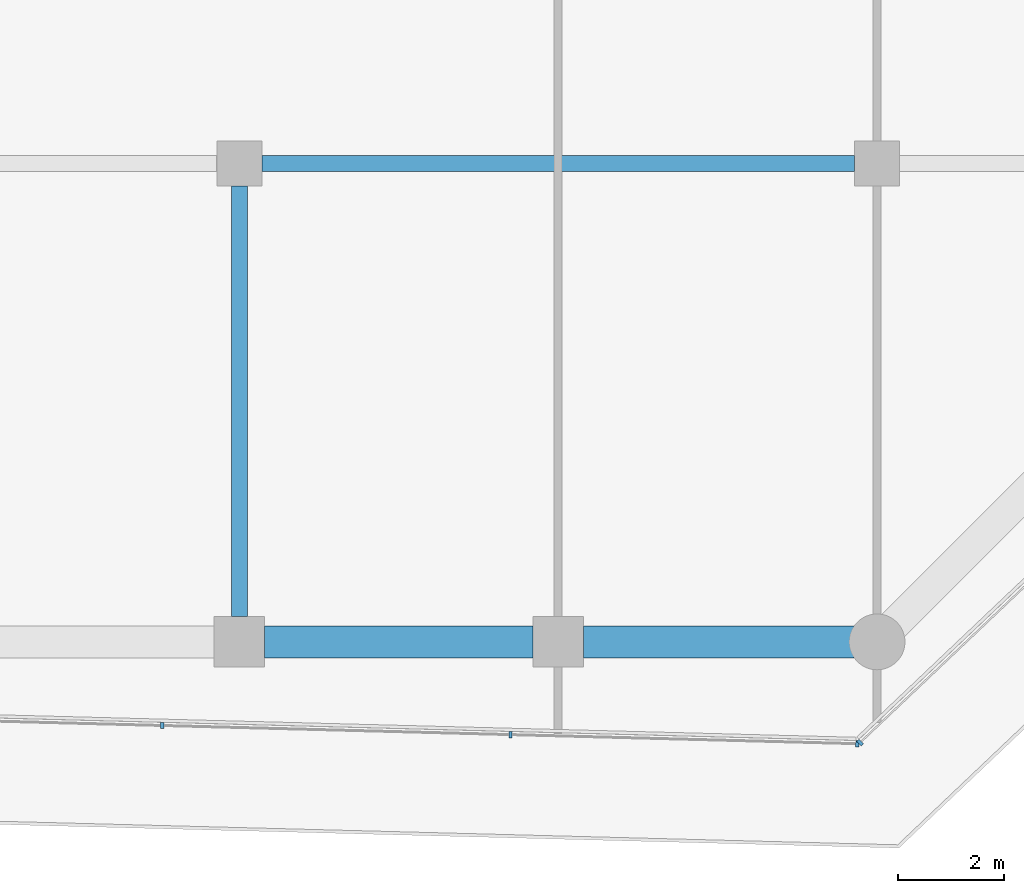
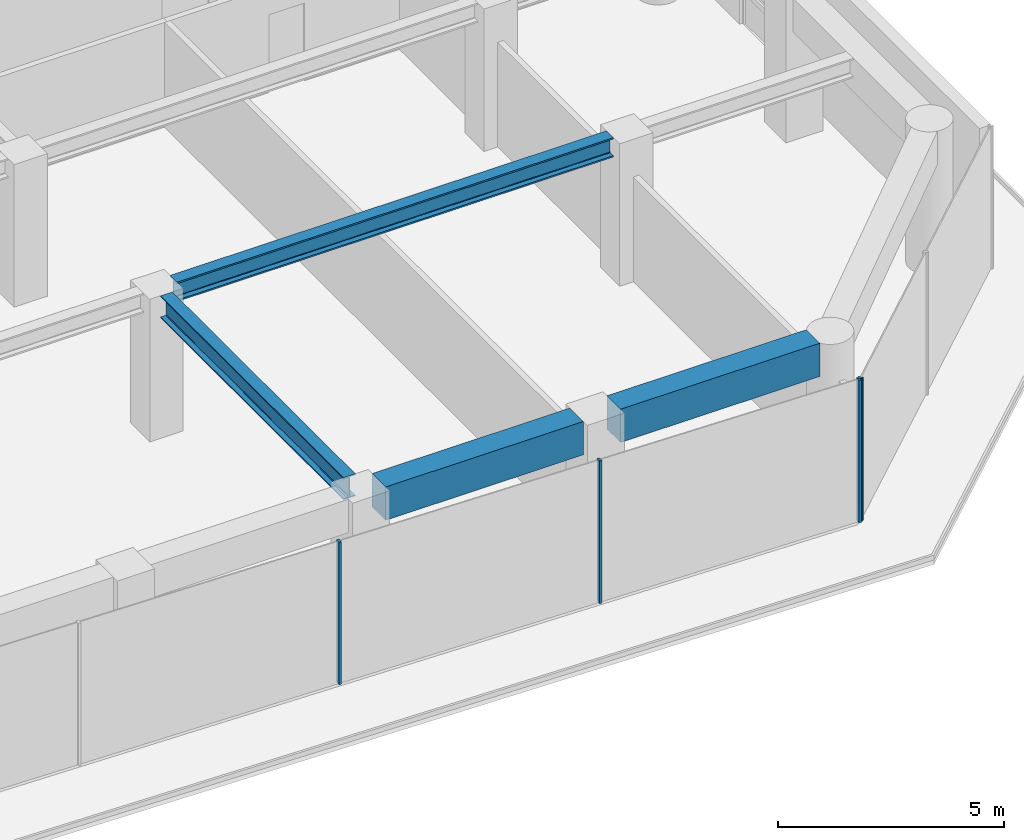
# One storey, part 9 of 28: 4 beams, 4 members, 2 elements without a shape of their own.
"""IFC4 building model written with IfcOpenShell, lengths in metres."""

from ifc_helpers import new_model, si_unit, direction, frame, origin, origin_2d, place, context, subcontext, project, spatial, rectangle, i_section, extrude, material, layer, layer_set, material_profile, profile_set, type_object, element, aggregate, save


model = new_model("IFC4")

# Units and contexts
model_context = context("Model", 3, precision=1e-05, world=origin(), true_north=direction((0.0, 1.0)))
body_context = subcontext(model_context, "Body", "Model", "MODEL_VIEW")
ifc_project = project(units=[si_unit("LENGTHUNIT", "METRE"), si_unit("AREAUNIT", "SQUARE_METRE"), si_unit("VOLUMEUNIT", "CUBIC_METRE"), si_unit("PLANEANGLEUNIT", "RADIAN"), si_unit("MASSUNIT", "GRAM", prefix="KILO")], contexts=[model_context])

# Site, building, storey
site_placement = place(None, origin())
site = spatial("IfcSite", under=ifc_project, at=site_placement, CompositionType="ELEMENT")
building_placement = place(site_placement, origin())
building = spatial("IfcBuilding", under=site, at=building_placement, Name="Welwitschia Terrace Campus", CompositionType="ELEMENT")
storey_placement = place(building_placement, frame((0.0, 0.0, 45.800048828125)))
storey = spatial("IfcBuildingStorey", under=building, at=storey_placement, Name="L10", CompositionType="ELEMENT", Elevation=45.800048828125)

# Beam
ifc_material_1 = material(Name="Steel S355", Category="steel")
ifc_material_profile_1 = material_profile(ifc_material_1, i_section(OverallWidth=0.305908203125, OverallDepth=0.52392578125, WebThickness=0.02099609375, FlangeThickness=0.0400390625, FilletRadius=0.027099609375, at=origin_2d()))
ifc_profile_set_1 = profile_set([ifc_material_profile_1], Name="Steel S355")
beam_type_1 = type_object("IfcBeamType", Name="Interior girder HE 500 M", PredefinedType="BEAM", material=ifc_profile_set_1)
beam_1_placement = place(storey_placement, frame((48.425537109375, 5.0, 3.587890625), z_axis=(1.0, 0.0, 0.0), x_axis=(0.0, 1.0, 0.0)))
element("IfcBeam", 1, at=beam_1_placement, inside=storey, type_object=beam_type_1, Name="Girder GB2", PredefinedType="BEAM", context=body_context, shape_type="SweptSolid", body=[
    extrude(i_section(OverallWidth=0.305908203125, OverallDepth=0.52392578125, WebThickness=0.02099609375, FlangeThickness=0.0400390625, FilletRadius=0.027099609375, at=origin_2d()), origin(), (0.0, 0.0, 1.0), 11.14892578125),
])

# Curtain wall, members
ifc_material_2 = material(Name="Bronze anodised aluminium", Category="aluminium")
ifc_layer = layer(ifc_material_2, 0.1201171875)
ifc_layer_set = layer_set([ifc_layer], Name="Bronze anodised aluminium")
curtain_wall_type = type_object("IfcCurtainWallType", Name="Curtain wall CW2 tower 6000", PredefinedType="NOTDEFINED", material=ifc_layer_set)
curtain_wall_1_placement = place(storey_placement, origin())
curtain_wall_1 = element("IfcCurtainWall", 2, at=curtain_wall_1_placement, inside=storey, type_object=curtain_wall_type, Name="CW L10.2.0", PredefinedType="NOTDEFINED")
ifc_material_3 = material(Name="Bronze anodised aluminium", Category="aluminium")
ifc_material_profile_2 = material_profile(ifc_material_3, rectangle(XDim=0.1201171875, YDim=0.06005859375, at=origin_2d()))
ifc_profile_set_2 = profile_set([ifc_material_profile_2], Name="Bronze anodised aluminium")
member_type = type_object("IfcMemberType", Name="Mullion 60x120", PredefinedType="MULLION", material=ifc_profile_set_2)
member_1_placement = place(storey_placement, frame((46.549072265625, -5.572998046875, 0.0), z_axis=(0.0, 0.0, 1.0), x_axis=(0.026176948308, 0.999657324976, 0.0)))
member_1 = element("IfcMember", 3, at=member_1_placement, type_object=member_type, Name="Mullion L10.2.0.3", PredefinedType="MULLION", context=body_context, shape_type="SweptSolid", body=[
    extrude(rectangle(XDim=0.1201171875, YDim=0.06005859375, at=origin_2d()), origin(), (0.0, 0.0, 1.0), 3.849853515625),
])
member_2_placement = place(storey_placement, frame((53.10400390625, -5.74462890625, 0.0), z_axis=(0.0, 0.0, 1.0), x_axis=(0.026176948308, 0.999657324976, 0.0)))
member_2 = element("IfcMember", 4, at=member_2_placement, type_object=member_type, Name="Mullion L10.2.0.4", PredefinedType="MULLION", context=body_context, shape_type="SweptSolid", body=[
    extrude(rectangle(XDim=0.1201171875, YDim=0.06005859375, at=origin_2d()), origin(), (0.0, 0.0, 1.0), 3.849853515625),
])
member_3_placement = place(storey_placement, frame((59.628662109375, -5.91552734375, 0.0), z_axis=(0.0, 0.0, 1.0), x_axis=(0.026176948308, 0.999657324976, 0.0)))
member_3 = element("IfcMember", 5, at=member_3_placement, type_object=member_type, Name="Mullion L10.2.0.5", PredefinedType="MULLION", context=body_context, shape_type="SweptSolid", body=[
    extrude(rectangle(XDim=0.1201171875, YDim=0.06005859375, at=origin_2d()), origin(), (0.0, 0.0, 1.0), 3.849853515625),
])
aggregate(curtain_wall_1, [member_1, member_2, member_3])

# Curtain wall, member
curtain_wall_2_placement = place(storey_placement, origin())
curtain_wall_2 = element("IfcCurtainWall", 6, at=curtain_wall_2_placement, inside=storey, type_object=curtain_wall_type, Name="CW L10.3.0", PredefinedType="NOTDEFINED")
member_4_placement = place(storey_placement, frame((59.680419921875, -5.8955078125, 0.0), z_axis=(0.0, 0.0, 1.0), x_axis=(-0.688354575694, 0.725374371012, 0.0)))
member_4 = element("IfcMember", 7, at=member_4_placement, type_object=member_type, Name="Mullion L10.3.0.0", PredefinedType="MULLION", context=body_context, shape_type="SweptSolid", body=[
    extrude(rectangle(XDim=0.1201171875, YDim=0.06005859375, at=origin_2d()), origin(), (0.0, 0.0, 1.0), 3.849853515625),
])
aggregate(curtain_wall_2, [member_4])

# Beams
ifc_material_4 = material(Name="Steel S355", Category="steel")
ifc_material_profile_3 = material_profile(ifc_material_4, i_section(OverallWidth=0.300048828125, OverallDepth=0.60009765625, WebThickness=0.015380859375, FlangeThickness=0.030029296875, FilletRadius=0.027099609375, at=origin_2d()))
ifc_profile_set_3 = profile_set([ifc_material_profile_3], Name="Steel S355")
beam_type_2 = type_object("IfcBeamType", Name="Primary beam HE 600 B", PredefinedType="BEAM", material=ifc_profile_set_3)
beam_2_placement = place(storey_placement, frame((48.0, -3.5244140625, 3.550048828125), z_axis=(0.0, 1.0, 0.0), x_axis=(-1.0, 0.0, 0.0)))
element("IfcBeam", 8, at=beam_2_placement, inside=storey, type_object=beam_type_2, Name="Primary beam PB2", PredefinedType="BEAM", context=body_context, shape_type="SweptSolid", body=[
    extrude(i_section(OverallWidth=0.300048828125, OverallDepth=0.60009765625, WebThickness=0.015380859375, FlangeThickness=0.030029296875, FilletRadius=0.027099609375, at=origin_2d()), origin(), (0.0, 0.0, 1.0), 8.098876953125),
])
ifc_material_5 = material(Name="Concrete C60/75", Category="concrete")
ifc_material_profile_4 = material_profile(ifc_material_5, rectangle(XDim=0.60009765625, YDim=0.89990234375, at=origin_2d()))
ifc_profile_set_4 = profile_set([ifc_material_profile_4], Name="Concrete C60/75")
beam_type_3 = type_object("IfcBeamType", Name="Ring spandrel 600x900", PredefinedType="SPANDREL", material=ifc_profile_set_4)
beam_3_placement = place(storey_placement, frame((48.4755859375, -4.0, 3.39990234375), z_axis=(1.0, 0.0, 0.0), x_axis=(0.0, 1.0, 0.0)))
element("IfcBeam", 9, at=beam_3_placement, inside=storey, type_object=beam_type_3, Name="Spandrel SP2", PredefinedType="SPANDREL", context=body_context, shape_type="SweptSolid", body=[
    extrude(rectangle(XDim=0.60009765625, YDim=0.89990234375, at=origin_2d()), origin(), (0.0, 0.0, 1.0), 5.048828125),
])
beam_4_placement = place(storey_placement, frame((54.4755859375, -4.0, 3.39990234375), z_axis=(1.0, 0.0, 0.0), x_axis=(0.0, 1.0, 0.0)))
element("IfcBeam", 10, at=beam_4_placement, inside=storey, type_object=beam_type_3, Name="Spandrel SP2", PredefinedType="SPANDREL", context=body_context, shape_type="SweptSolid", body=[
    extrude(rectangle(XDim=0.60009765625, YDim=0.89990234375, at=origin_2d()), origin(), (0.0, 0.0, 1.0), 5.093017578125),
])

save(model, "model.ifc")
